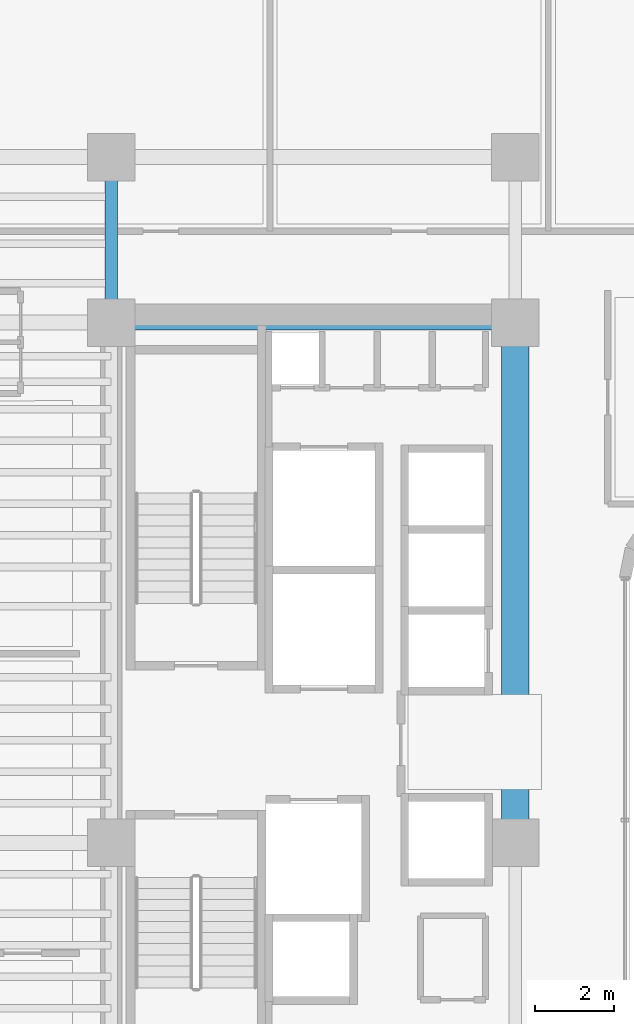
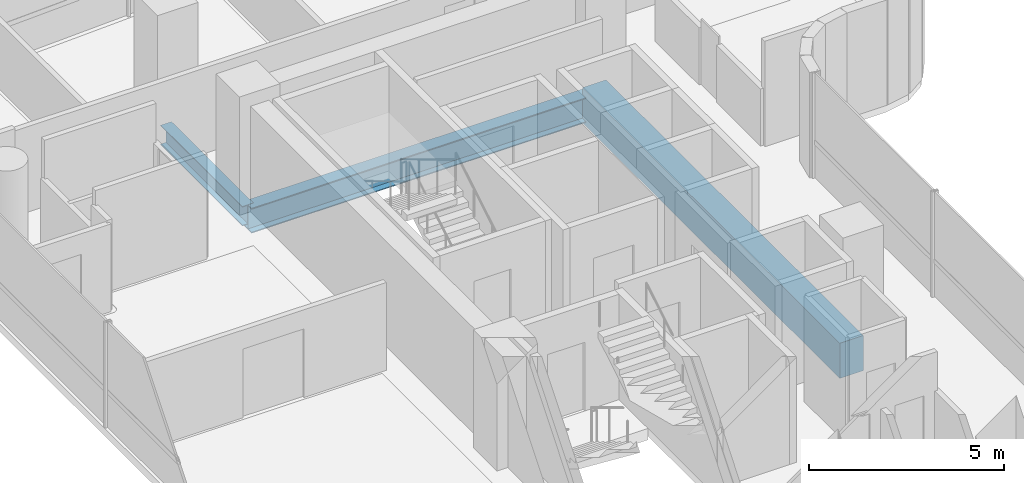
# One storey, part 11 of 35: 3 beams.
"""IFC4 building model written with IfcOpenShell, lengths in metres."""

from ifc_helpers import new_model, si_unit, direction, frame, origin, origin_2d, place, context, subcontext, project, spatial, rectangle, i_section, extrude, source, transform, mapped, material, material_profile, profile_set, type_object, element, save


model = new_model("IFC4")

# Units and contexts
model_context = context("Model", 3, precision=1e-05, world=origin(), true_north=direction((0.0, 1.0)))
body_context = subcontext(model_context, "Body", "Model", "MODEL_VIEW")
ifc_project = project(units=[si_unit("LENGTHUNIT", "METRE"), si_unit("AREAUNIT", "SQUARE_METRE"), si_unit("VOLUMEUNIT", "CUBIC_METRE"), si_unit("PLANEANGLEUNIT", "RADIAN"), si_unit("MASSUNIT", "GRAM", prefix="KILO")], contexts=[model_context])

# Site, building, storey
site_placement = place(None, origin())
site = spatial("IfcSite", under=ifc_project, at=site_placement, CompositionType="ELEMENT")
building_placement = place(site_placement, origin())
building = spatial("IfcBuilding", under=site, at=building_placement, Name="Valdorenza Pilgrim Sanctuary Tower", CompositionType="ELEMENT")
storey_placement = place(building_placement, frame((0.0, 0.0, 168.60009765625)))
storey = spatial("IfcBuildingStorey", under=building, at=storey_placement, Name="L43", CompositionType="ELEMENT", Elevation=168.60009765625)

# Beams
ifc_material_1 = material(Name="Concrete C50/60", Category="concrete")
ifc_material_profile_1 = material_profile(ifc_material_1, rectangle(XDim=0.699951171875, YDim=1.10009765625, at=origin_2d()), Name="RC 1100x700")
ifc_profile_set_1 = profile_set([ifc_material_profile_1], Name="Concrete C50/60")
beam_type_1 = type_object("IfcBeamType", Name="STR-BM-LNT-1100", PredefinedType="LINTEL", material=ifc_profile_set_1)
shared_shape_1 = source(origin(), body_context, "Body", "SweptSolid", [
    extrude(rectangle(XDim=0.699951171875, YDim=1.10009765625, at=origin_2d()), origin(), (0.0, 0.0, 1.0), 13.2001953125),
])
beam_1_placement = place(storey_placement, frame((-12.39990234375, -2.60009765625, -0.590087890625), z_axis=(0.0, 1.0, 0.0), x_axis=(-1.0, 0.0, 0.0)))
element("IfcBeam", 1, at=beam_1_placement, inside=storey, type_object=beam_type_1, Name="L43 Core A Coupling Lintel Girder", PredefinedType="LINTEL", context=body_context, shape_type="MappedRepresentation", body=[
    mapped(shared_shape_1, transform((0.0, 0.0, 0.0), x_axis=(1.0, 0.0, 0.0), y_axis=(0.0, 1.0, 0.0), z_axis=(0.0, 0.0, 1.0), scale=1.0)),
])
ifc_material_2 = material(Name="Steel ASTM A992 Grade 50", Category="steel")
ifc_material_profile_2 = material_profile(ifc_material_2, i_section(OverallWidth=0.323974609375, OverallDepth=0.611083984375, WebThickness=0.0126953125, FlangeThickness=0.01904296875, at=origin_2d()), Name="W24X104")
ifc_profile_set_2 = profile_set([ifc_material_profile_2], Name="Steel ASTM A992 Grade 50")
beam_type_2 = type_object("IfcBeamType", Name="STR-BM-GRD-W24B", PredefinedType="BEAM", material=ifc_profile_set_2)
shared_shape_2 = source(origin(), body_context, "Body", "SweptSolid", [
    extrude(i_section(OverallWidth=0.323974609375, OverallDepth=0.611083984375, WebThickness=0.0126953125, FlangeThickness=0.01904296875, at=origin_2d()), origin(), (0.0, 0.0, 1.0), 4.199951171875),
])
beam_2_placement = place(storey_placement, frame((-22.64990234375, 10.60009765625, -0.545654296875), z_axis=(0.0, 1.0, 0.0), x_axis=(-1.0, 0.0, 0.0)))
element("IfcBeam", 2, at=beam_2_placement, inside=storey, type_object=beam_type_2, Name="L43 Core Tie Girder CA-W-N1N2", PredefinedType="BEAM", context=body_context, shape_type="MappedRepresentation", body=[
    mapped(shared_shape_2, transform((0.0, 0.0, 0.0), x_axis=(1.0, 0.0, 0.0), y_axis=(0.0, 1.0, 0.0), z_axis=(0.0, 0.0, 1.0), scale=1.0)),
])
ifc_material_profile_3 = material_profile(ifc_material_2, i_section(OverallWidth=0.382080078125, OverallDepth=0.779052734375, WebThickness=0.01806640625, FlangeThickness=0.030029296875, at=origin_2d()), Name="W30X191")
ifc_profile_set_3 = profile_set([ifc_material_profile_3], Name="Steel ASTM A992 Grade 50")
beam_type_3 = type_object("IfcBeamType", Name="STR-BM-GRD-W30", PredefinedType="BEAM", material=ifc_profile_set_3)
shared_shape_3 = source(origin(), body_context, "Body", "SweptSolid", [
    extrude(i_section(OverallWidth=0.382080078125, OverallDepth=0.779052734375, WebThickness=0.01806640625, FlangeThickness=0.030029296875, at=origin_2d()), origin(), (0.0, 0.0, 1.0), 10.25),
])
beam_3_placement = place(storey_placement, frame((-22.64990234375, 10.60009765625, -0.629638671875), z_axis=(1.0, 0.0, 0.0), x_axis=(0.0, 1.0, 0.0)))
element("IfcBeam", 3, at=beam_3_placement, inside=storey, type_object=beam_type_3, Name="L43 Floor Girder CA-XC-N1", PredefinedType="BEAM", context=body_context, shape_type="MappedRepresentation", body=[
    mapped(shared_shape_3, transform((0.0, 0.0, 0.0), x_axis=(1.0, 0.0, 0.0), y_axis=(0.0, 1.0, 0.0), z_axis=(0.0, 0.0, 1.0), scale=1.0)),
])

save(model, "model.ifc")
